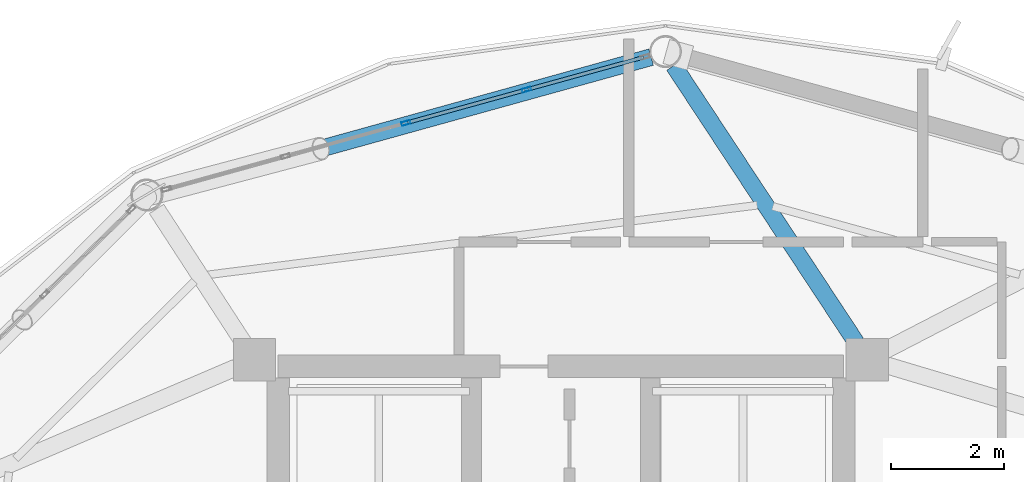
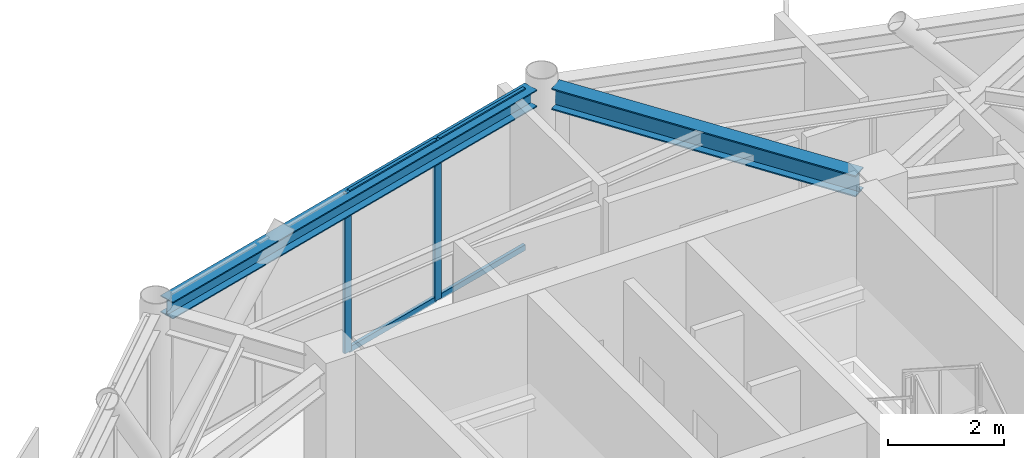
# One storey, part 19 of 27: 6 members, 2 beams, 1 element without a shape of its own.
"""IFC4 building model written with IfcOpenShell, lengths in metres."""

from ifc_helpers import new_model, si_unit, direction, frame, origin, origin_2d, place, context, subcontext, project, spatial, hollow_rectangle, i_section, extrude, material, layer, layer_set, material_profile, profile_set, type_object, element, aggregate, save


model = new_model("IFC4")

# Units and contexts
model_context = context("Model", 3, precision=1e-05, world=origin(), true_north=direction((0.0, 1.0)))
body_context = subcontext(model_context, "Body", "Model", "MODEL_VIEW")
ifc_project = project(units=[si_unit("LENGTHUNIT", "METRE"), si_unit("AREAUNIT", "SQUARE_METRE"), si_unit("VOLUMEUNIT", "CUBIC_METRE"), si_unit("PLANEANGLEUNIT", "RADIAN"), si_unit("MASSUNIT", "GRAM", prefix="KILO")], contexts=[model_context])

# Site, building, storey
site_placement = place(None, origin())
site = spatial("IfcSite", under=ifc_project, at=site_placement, CompositionType="ELEMENT")
building_placement = place(site_placement, origin())
building = spatial("IfcBuilding", under=site, at=building_placement, Name="Varnakorn Sky Granary", CompositionType="ELEMENT")
storey_placement = place(building_placement, frame((0.0, 0.0, 249.0)))
storey = spatial("IfcBuildingStorey", under=building, at=storey_placement, Name="L63", CompositionType="ELEMENT", Elevation=249.0)

# Beams
ifc_material_1 = material(Name="Steel S355JR", Category="steel")
ifc_material_profile_1 = material_profile(ifc_material_1, i_section(OverallWidth=0.300048828125, OverallDepth=0.449951171875, WebThickness=0.013916015625, FlangeThickness=0.02587890625, at=origin_2d()), Name="HE 450 B")
ifc_profile_set_1 = profile_set([ifc_material_profile_1], Name="Steel S355JR")
beam_type_1 = type_object("IfcBeamType", Name="BM-RAD-Z5", PredefinedType="BEAM", material=ifc_profile_set_1)
beam_1_placement = place(storey_placement, frame((8.224609375, 12.91650390625, 3.135009765625), z_axis=(-0.550122886915, 0.835083713942, 0.0), x_axis=(-0.835083713942, -0.550122886915, 0.0)))
element("IfcBeam", 1, at=beam_1_placement, inside=storey, type_object=beam_type_1, Name="Radial Floor Girder RG04 L63", PredefinedType="BEAM", context=body_context, shape_type="SweptSolid", body=[
    extrude(i_section(OverallWidth=0.300048828125, OverallDepth=0.449951171875, WebThickness=0.013916015625, FlangeThickness=0.02587890625, at=origin_2d()), origin(), (0.0, 0.0, 1.0), 5.86962890625),
])
ifc_material_profile_2 = material_profile(ifc_material_1, i_section(OverallWidth=0.300048828125, OverallDepth=0.360107421875, WebThickness=0.012451171875, FlangeThickness=0.0224609375, at=origin_2d()), Name="HE 360 B")
ifc_profile_set_2 = profile_set([ifc_material_profile_2], Name="Steel S355JR")
beam_type_2 = type_object("IfcBeamType", Name="BM-SPD-Z5", PredefinedType="SPANDREL", material=ifc_profile_set_2)
beam_2_placement = place(storey_placement, frame((4.59521484375, 17.968505859375, 3.179931640625), z_axis=(-0.963701126096, -0.266983406902, 0.0), x_axis=(0.266983406902, -0.963701126096, 0.0)))
element("IfcBeam", 2, at=beam_2_placement, inside=storey, type_object=beam_type_2, Name="Perimeter Spandrel Ring Beam RB04 L63", PredefinedType="SPANDREL", context=body_context, shape_type="SweptSolid", body=[
    extrude(i_section(OverallWidth=0.300048828125, OverallDepth=0.360107421875, WebThickness=0.012451171875, FlangeThickness=0.0224609375, at=origin_2d()), origin(), (0.0, 0.0, 1.0), 8.96142578125),
])

# Curtain wall, members
ifc_material_2 = material(Name="Anodised Bronze Aluminium Alloy 6063-T6", Category="aluminium")
ifc_layer = layer(ifc_material_2, 0.159912109375, Name="Anodised Bronze Aluminium Alloy 6063-T6")
ifc_layer_set = layer_set([ifc_layer], Name="Anodised Bronze Aluminium Alloy 6063-T6")
curtain_wall_type = type_object("IfcCurtainWallType", Name="CW-OFF-1", PredefinedType="USERDEFINED", material=ifc_layer_set)
curtain_wall_placement = place(storey_placement, origin())
curtain_wall = element("IfcCurtainWall", 3, at=curtain_wall_placement, inside=storey, type_object=curtain_wall_type, Name="Unitised Curtain Wall CW6 CW-L63-B04", ObjectType="CURTAIN WALL", PredefinedType="USERDEFINED")
ifc_material_profile_3 = material_profile(ifc_material_2, hollow_rectangle(XDim=0.06494140625, YDim=0.159912109375, WallThickness=0.00341796875, at=origin_2d()), Name="ALU MULL 65x160")
ifc_profile_set_3 = profile_set([ifc_material_profile_3], Name="Anodised Bronze Aluminium Alloy 6063-T6")
member_type_1 = type_object("IfcMemberType", Name="CW-OFF-1-MULL", PredefinedType="MULLION", material=ifc_profile_set_3)
member_1_placement = place(storey_placement, frame((0.260009765625, 16.803955078125, 0.0), z_axis=(0.0, 0.0, 1.0), x_axis=(-0.266486844753, 0.963838555762, 0.0)))
member_1 = element("IfcMember", 4, at=member_1_placement, type_object=member_type_1, Name="CW6 mullion 3", PredefinedType="MULLION", context=body_context, shape_type="SweptSolid", body=[
    extrude(hollow_rectangle(XDim=0.06494140625, YDim=0.159912109375, WallThickness=0.00341796875, at=origin_2d()), origin(), (0.0, 0.0, 1.0), 3.360107421875),
])
member_2_placement = place(storey_placement, frame((2.391357421875, 17.393310546875, 0.0), z_axis=(0.0, 0.0, 1.0), x_axis=(-0.266486844753, 0.963838555762, 0.0)))
member_2 = element("IfcMember", 5, at=member_2_placement, type_object=member_type_1, Name="CW6 mullion 4", PredefinedType="MULLION", context=body_context, shape_type="SweptSolid", body=[
    extrude(hollow_rectangle(XDim=0.06494140625, YDim=0.159912109375, WallThickness=0.00341796875, at=origin_2d()), origin(), (0.0, 0.0, 1.0), 3.360107421875),
])
ifc_material_profile_4 = material_profile(ifc_material_2, hollow_rectangle(XDim=0.06494140625, YDim=0.1201171875, WallThickness=0.00341796875, at=origin_2d()), Name="ALU TRAN 65x120")
ifc_profile_set_4 = profile_set([ifc_material_profile_4], Name="Anodised Bronze Aluminium Alloy 6063-T6")
member_type_2 = type_object("IfcMemberType", Name="CW-OFF-1-TRAN", PredefinedType="USERDEFINED", material=ifc_profile_set_4)
member_3_placement = place(storey_placement, frame((0.291259765625, 16.8125, 0.032470703125), z_axis=(0.963836609397, 0.266493884331, 0.0), x_axis=(-0.266493884331, 0.963836609397, 0.0)))
member_3 = element("IfcMember", 6, at=member_3_placement, type_object=member_type_2, Name="CW6 transom 3.1", ObjectType="TRANSOM", PredefinedType="USERDEFINED", context=body_context, shape_type="SweptSolid", body=[
    extrude(hollow_rectangle(XDim=0.06494140625, YDim=0.1201171875, WallThickness=0.00341796875, at=origin_2d()), origin(), (0.0, 0.0, 1.0), 2.146484375),
])
member_4_placement = place(storey_placement, frame((0.291259765625, 16.8125, 3.327392578125), z_axis=(0.963836609397, 0.266493884331, 0.0), x_axis=(-0.266493884331, 0.963836609397, 0.0)))
member_4 = element("IfcMember", 7, at=member_4_placement, type_object=member_type_2, Name="CW6 transom 3.2", ObjectType="TRANSOM", PredefinedType="USERDEFINED", context=body_context, shape_type="SweptSolid", body=[
    extrude(hollow_rectangle(XDim=0.06494140625, YDim=0.1201171875, WallThickness=0.00341796875, at=origin_2d()), origin(), (0.0, 0.0, 1.0), 2.146484375),
])
member_5_placement = place(storey_placement, frame((2.422607421875, 17.40185546875, 0.032470703125), z_axis=(0.963854669984, 0.266428555434, 0.0), x_axis=(-0.266428555434, 0.963854669984, 0.0)))
member_5 = element("IfcMember", 8, at=member_5_placement, type_object=member_type_2, Name="CW6 transom 4.1", ObjectType="TRANSOM", PredefinedType="USERDEFINED", context=body_context, shape_type="SweptSolid", body=[
    extrude(hollow_rectangle(XDim=0.06494140625, YDim=0.1201171875, WallThickness=0.00341796875, at=origin_2d()), origin(), (0.0, 0.0, 1.0), 2.114013671875),
])
member_6_placement = place(storey_placement, frame((2.422607421875, 17.40185546875, 3.327392578125), z_axis=(0.963854669984, 0.266428555434, 0.0), x_axis=(-0.266428555434, 0.963854669984, 0.0)))
member_6 = element("IfcMember", 9, at=member_6_placement, type_object=member_type_2, Name="CW6 transom 4.2", ObjectType="TRANSOM", PredefinedType="USERDEFINED", context=body_context, shape_type="SweptSolid", body=[
    extrude(hollow_rectangle(XDim=0.06494140625, YDim=0.1201171875, WallThickness=0.00341796875, at=origin_2d()), origin(), (0.0, 0.0, 1.0), 2.114013671875),
])
aggregate(curtain_wall, [member_1, member_2, member_3, member_4, member_5, member_6])

save(model, "model.ifc")
